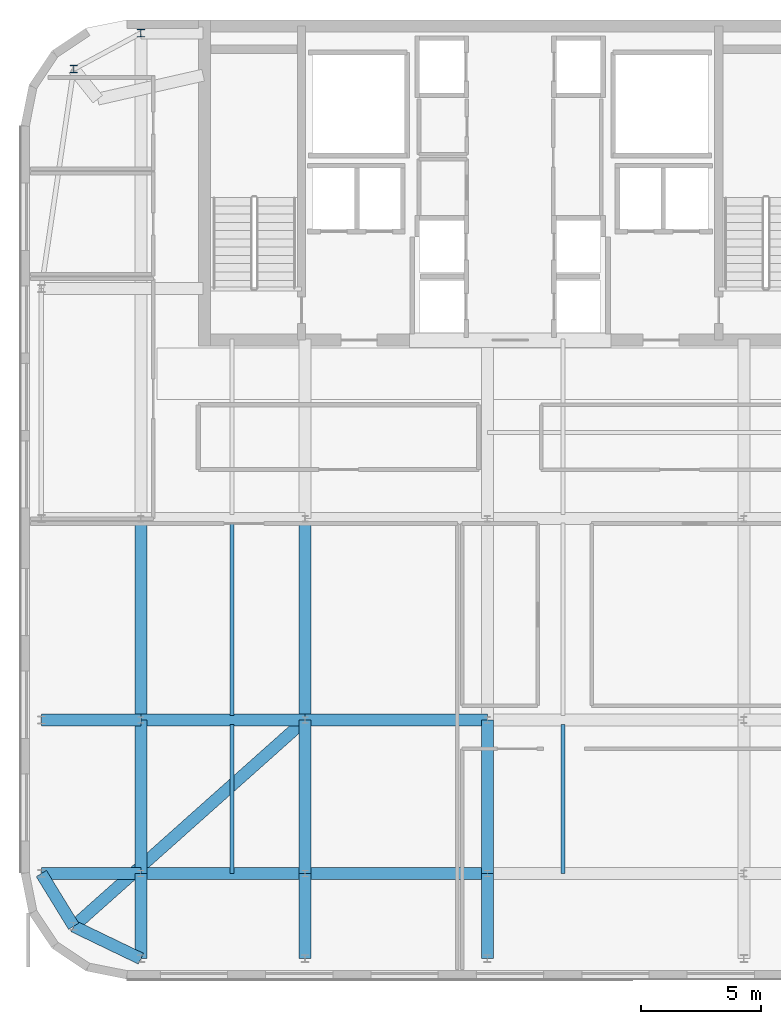
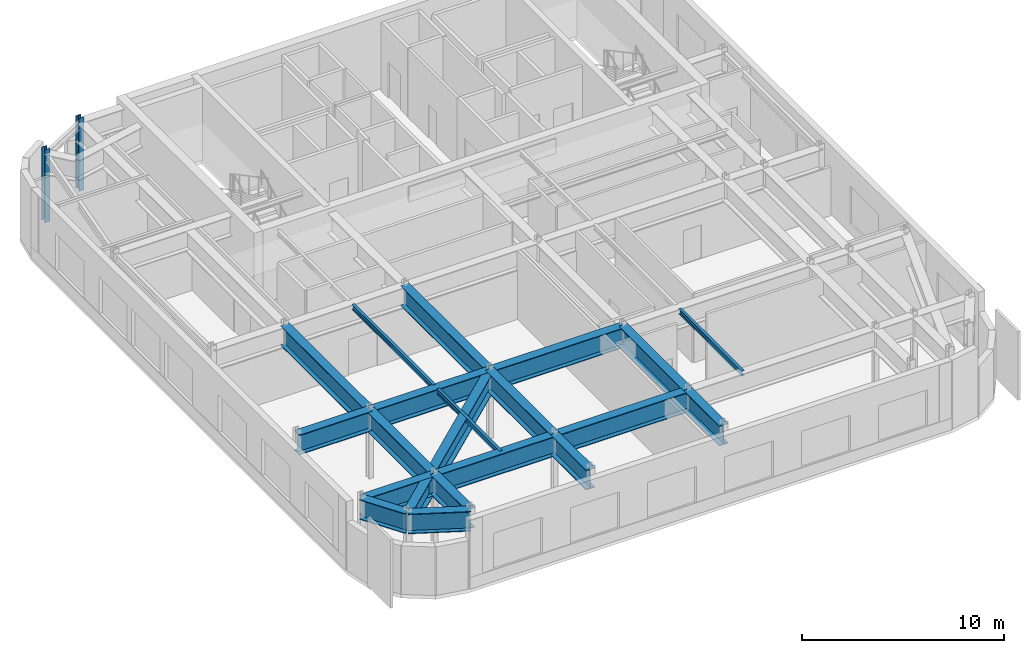
# One storey, part 4 of 13: 20 beams, 2 columns.
"""IFC4 building model written with IfcOpenShell, lengths in metres."""

from ifc_helpers import new_model, si_unit, direction, frame, origin, origin_2d, place, context, subcontext, project, spatial, i_section, extrude, source, transform, mapped, material, material_profile, profile_set, type_object, type_shapes, element, save


model = new_model("IFC4")

# Units and contexts
model_context = context("Model", 3, precision=1e-05, world=origin(), true_north=direction((0.0, 1.0)))
body_context = subcontext(model_context, "Body", "Model", "MODEL_VIEW")
ifc_project = project(units=[si_unit("LENGTHUNIT", "METRE"), si_unit("AREAUNIT", "SQUARE_METRE"), si_unit("VOLUMEUNIT", "CUBIC_METRE"), si_unit("PLANEANGLEUNIT", "RADIAN"), si_unit("MASSUNIT", "GRAM", prefix="KILO")], contexts=[model_context])

# Site, building, storey
site_placement = place(None, origin())
site = spatial("IfcSite", under=ifc_project, at=site_placement, CompositionType="ELEMENT")
building_placement = place(site_placement, origin())
building = spatial("IfcBuilding", under=site, at=building_placement, Name="Tolvann Quenvar Hotel", CompositionType="ELEMENT")
storey_placement = place(building_placement, frame((0.0, 0.0, 286.550048828125)))
storey = spatial("IfcBuildingStorey", under=building, at=storey_placement, Name="L76", CompositionType="ELEMENT", Elevation=286.550048828125)

# Columns
ifc_material = material(Name="Steel Grade 350", Category="steel")
ifc_material_profile_1 = material_profile(ifc_material, i_section(OverallWidth=0.306884765625, OverallDepth=0.31494140625, WebThickness=0.011962890625, FlangeThickness=0.018798828125, FilletRadius=0.0166015625, at=origin_2d()), Name="310UC118")
ifc_profile_set_1 = profile_set([ifc_material_profile_1], Name="Steel Grade 350")
column_type = type_object("IfcColumnType", Name="COL_310UC118", PredefinedType="COLUMN", material=ifc_profile_set_1)
shared_shape_1 = source(origin(), body_context, "Body", "SweptSolid", [
    extrude(i_section(OverallWidth=0.306884765625, OverallDepth=0.31494140625, WebThickness=0.011962890625, FlangeThickness=0.018798828125, FilletRadius=0.0166015625, at=origin_2d()), origin(), (0.0, 0.0, 1.0), 4.39990234375),
])
type_shapes(column_type, [shared_shape_1])
for number, where, z_axis, x_axis, name in (
    (1, (4.800048828125, 43.14990234375, 0.0), (0.0, 0.0, 1.0), (1.0, 0.0, 0.0), "Column BN (L76)"),
    (2, (7.60009765625, 44.64990234375, 0.0), (0.0, 0.0, 1.0), (1.0, 0.0, 0.0), "Column CN (L76)"),
):
    element("IfcColumn", number, at=place(storey_placement, frame(where, z_axis=z_axis, x_axis=x_axis)), inside=storey, type_object=column_type, Name=name, PredefinedType="COLUMN", context=body_context, shape_type="MappedRepresentation", body=[
        mapped(shared_shape_1, transform((0.0, 0.0, 0.0), x_axis=(1.0, 0.0, 0.0), y_axis=(0.0, 1.0, 0.0), z_axis=(0.0, 0.0, 1.0), scale=1.0)),
    ])

# Beams
ifc_material_profile_2 = material_profile(ifc_material, i_section(OverallWidth=0.5, OverallDepth=1.199951171875, WebThickness=0.01611328125, FlangeThickness=0.0400390625, at=origin_2d()), Name="1200WB455")
ifc_profile_set_2 = profile_set([ifc_material_profile_2], Name="Steel Grade 350")
beam_type_1 = type_object("IfcBeamType", Name="BM_TG_1200WB455", PredefinedType="USERDEFINED", material=ifc_profile_set_2)
shared_shape_2 = source(origin(), body_context, "Body", "SweptSolid", [
    extrude(i_section(OverallWidth=0.5, OverallDepth=1.199951171875, WebThickness=0.01611328125, FlangeThickness=0.0400390625, at=origin_2d()), origin(), (0.0, 0.0, 1.0), 3.550048828125),
])
for number, where, z_axis, x_axis, name in (
    (3, (7.60009765625, 6.050048828125, 3.5400390625), (0.0, 1.0, 0.0), (-1.0, 0.0, 0.0), "Setback Transfer Girder L76-C2"),
    (4, (14.449951171875, 6.050048828125, 3.5400390625), (0.0, 1.0, 0.0), (-1.0, 0.0, 0.0), "Setback Transfer Girder L76-D2"),
    (5, (22.050048828125, 6.050048828125, 3.5400390625), (0.0, 1.0, 0.0), (-1.0, 0.0, 0.0), "Setback Transfer Girder L76-E2"),
):
    element("IfcBeam", number, at=place(storey_placement, frame(where, z_axis=z_axis, x_axis=x_axis)), inside=storey, type_object=beam_type_1, Name=name, ObjectType="TRANSFER GIRDER", PredefinedType="USERDEFINED", context=body_context, shape_type="MappedRepresentation", body=[
        mapped(shared_shape_2, transform((0.0, 0.0, 0.0), x_axis=(1.0, 0.0, 0.0), y_axis=(0.0, 1.0, 0.0), z_axis=(0.0, 0.0, 1.0), scale=1.0)),
    ])
shared_shape_3 = source(origin(), body_context, "Body", "SweptSolid", [
    extrude(i_section(OverallWidth=0.5, OverallDepth=1.199951171875, WebThickness=0.01611328125, FlangeThickness=0.0400390625, at=origin_2d()), origin(), (0.0, 0.0, 1.0), 4.150146484375),
])
for number, where, z_axis, x_axis, name in (
    (6, (3.449951171875, 16.0, 3.5400390625), (1.0, 0.0, 0.0), (0.0, 1.0, 0.0), "Setback Transfer Girder L76-B4"),
    (7, (3.449951171875, 9.60009765625, 3.5400390625), (1.0, 0.0, 0.0), (0.0, 1.0, 0.0), "BM-L76-EW-3-B3-C3"),
):
    element("IfcBeam", number, at=place(storey_placement, frame(where, z_axis=z_axis, x_axis=x_axis)), inside=storey, type_object=beam_type_1, Name=name, ObjectType="TRANSFER GIRDER", PredefinedType="USERDEFINED", context=body_context, shape_type="MappedRepresentation", body=[
        mapped(shared_shape_3, transform((0.0, 0.0, 0.0), x_axis=(1.0, 0.0, 0.0), y_axis=(0.0, 1.0, 0.0), z_axis=(0.0, 0.0, 1.0), scale=1.0)),
    ])
shared_shape_4 = source(origin(), body_context, "Body", "SweptSolid", [
    extrude(i_section(OverallWidth=0.5, OverallDepth=1.199951171875, WebThickness=0.01611328125, FlangeThickness=0.0400390625, at=origin_2d()), origin(), (0.0, 0.0, 1.0), 8.39990234375),
])
for number, where, z_axis, x_axis, name in (
    (8, (7.60009765625, 16.0, 3.5400390625), (0.0, 1.0, 0.0), (-1.0, 0.0, 0.0), "BM-L76-NS-C4-C5"),
    (9, (14.449951171875, 16.0, 3.5400390625), (0.0, 1.0, 0.0), (-1.0, 0.0, 0.0), "BM-L76-NS-D4-D5"),
):
    element("IfcBeam", number, at=place(storey_placement, frame(where, z_axis=z_axis, x_axis=x_axis)), inside=storey, type_object=beam_type_1, Name=name, ObjectType="TRANSFER GIRDER", PredefinedType="USERDEFINED", context=body_context, shape_type="MappedRepresentation", body=[
        mapped(shared_shape_4, transform((0.0, 0.0, 0.0), x_axis=(1.0, 0.0, 0.0), y_axis=(0.0, 1.0, 0.0), z_axis=(0.0, 0.0, 1.0), scale=1.0)),
    ])
shared_shape_5 = source(origin(), body_context, "Body", "SweptSolid", [
    extrude(i_section(OverallWidth=0.5, OverallDepth=1.199951171875, WebThickness=0.01611328125, FlangeThickness=0.0400390625, at=origin_2d()), origin(), (0.0, 0.0, 1.0), 6.849853515625),
])
for number, where, z_axis, x_axis, name in (
    (10, (7.60009765625, 9.60009765625, 3.5400390625), (1.0, 0.0, 0.0), (0.0, 1.0, 0.0), "BM-L76-EW-3-C3-D3"),
    (11, (7.60009765625, 16.0, 3.5400390625), (1.0, 0.0, 0.0), (0.0, 1.0, 0.0), "BM-L76-EW-4-C4-D4"),
):
    element("IfcBeam", number, at=place(storey_placement, frame(where, z_axis=z_axis, x_axis=x_axis)), inside=storey, type_object=beam_type_1, Name=name, ObjectType="TRANSFER GIRDER", PredefinedType="USERDEFINED", context=body_context, shape_type="MappedRepresentation", body=[
        mapped(shared_shape_5, transform((0.0, 0.0, 0.0), x_axis=(1.0, 0.0, 0.0), y_axis=(0.0, 1.0, 0.0), z_axis=(0.0, 0.0, 1.0), scale=1.0)),
    ])
shared_shape_6 = source(origin(), body_context, "Body", "SweptSolid", [
    extrude(i_section(OverallWidth=0.5, OverallDepth=1.199951171875, WebThickness=0.01611328125, FlangeThickness=0.0400390625, at=origin_2d()), origin(), (0.0, 0.0, 1.0), 7.60009765625),
])
for number, where, z_axis, x_axis, name in (
    (12, (14.449951171875, 9.60009765625, 3.5400390625), (1.0, 0.0, 0.0), (0.0, 1.0, 0.0), "BM-L76-EW-3-D3-E3"),
    (13, (14.449951171875, 16.0, 3.5400390625), (1.0, 0.0, 0.0), (0.0, 1.0, 0.0), "BM-L76-EW-4-D4-E4"),
):
    element("IfcBeam", number, at=place(storey_placement, frame(where, z_axis=z_axis, x_axis=x_axis)), inside=storey, type_object=beam_type_1, Name=name, ObjectType="TRANSFER GIRDER", PredefinedType="USERDEFINED", context=body_context, shape_type="MappedRepresentation", body=[
        mapped(shared_shape_6, transform((0.0, 0.0, 0.0), x_axis=(1.0, 0.0, 0.0), y_axis=(0.0, 1.0, 0.0), z_axis=(0.0, 0.0, 1.0), scale=1.0)),
    ])
ifc_material_profile_3 = material_profile(ifc_material, i_section(OverallWidth=0.166015625, OverallDepth=0.306884765625, WebThickness=0.006591796875, FlangeThickness=0.01171875, FilletRadius=0.011474609375, at=origin_2d()), Name="310UB46")
ifc_profile_set_3 = profile_set([ifc_material_profile_3], Name="Steel Grade 350")
beam_type_2 = type_object("IfcBeamType", Name="BM_JOIST_310UB46", PredefinedType="JOIST", material=ifc_profile_set_3)
shared_shape_7 = source(origin(), body_context, "Body", "SweptSolid", [
    extrude(i_section(OverallWidth=0.166015625, OverallDepth=0.306884765625, WebThickness=0.006591796875, FlangeThickness=0.01171875, FilletRadius=0.011474609375, at=origin_2d()), origin(), (0.0, 0.0, 1.0), 8.030029296875),
])
beam_1_placement = place(storey_placement, frame((11.39990234375, 16.18505859375, 3.986572265625), z_axis=(0.0, 1.0, 0.0), x_axis=(-1.0, 0.0, 0.0)))
element("IfcBeam", 14, at=beam_1_placement, inside=storey, type_object=beam_type_2, Name="BJ-L76-114-160", PredefinedType="JOIST", context=body_context, shape_type="MappedRepresentation", body=[
    mapped(shared_shape_7, transform((0.0, 0.0, 0.0), x_axis=(1.0, 0.0, 0.0), y_axis=(0.0, 1.0, 0.0), z_axis=(0.0, 0.0, 1.0), scale=1.0)),
])
shared_shape_8 = source(origin(), body_context, "Body", "SweptSolid", [
    extrude(i_section(OverallWidth=0.5, OverallDepth=1.199951171875, WebThickness=0.01611328125, FlangeThickness=0.0400390625, at=origin_2d()), origin(), (0.0, 0.0, 1.0), 3.1083984375),
])
beam_2_placement = place(storey_placement, frame((4.800048828125, 7.39990234375, 3.5400390625), z_axis=(0.900790078459, -0.434254803715, 0.0), x_axis=(0.434254803715, 0.900790078459, 0.0)))
element("IfcBeam", 15, at=beam_2_placement, inside=storey, type_object=beam_type_1, Name="BM-L76-EW-2-B2-C2", ObjectType="TRANSFER GIRDER", PredefinedType="USERDEFINED", context=body_context, shape_type="MappedRepresentation", body=[
    mapped(shared_shape_8, transform((0.0, 0.0, 0.0), x_axis=(1.0, 0.0, 0.0), y_axis=(0.0, 1.0, 0.0), z_axis=(0.0, 0.0, 1.0), scale=1.0)),
])
shared_shape_9 = source(origin(), body_context, "Body", "SweptSolid", [
    extrude(i_section(OverallWidth=0.5, OverallDepth=1.199951171875, WebThickness=0.01611328125, FlangeThickness=0.0400390625, at=origin_2d()), origin(), (0.0, 0.0, 1.0), 2.581298828125),
])
beam_3_placement = place(storey_placement, frame((4.800048828125, 7.39990234375, 3.5400390625), z_axis=(-0.523009973863, 0.852326561384, 0.0), x_axis=(-0.852326561384, -0.523009973863, 0.0)))
element("IfcBeam", 16, at=beam_3_placement, inside=storey, type_object=beam_type_1, Name="BM-L76-NS-B2-B3", ObjectType="TRANSFER GIRDER", PredefinedType="USERDEFINED", context=body_context, shape_type="MappedRepresentation", body=[
    mapped(shared_shape_9, transform((0.0, 0.0, 0.0), x_axis=(1.0, 0.0, 0.0), y_axis=(0.0, 1.0, 0.0), z_axis=(0.0, 0.0, 1.0), scale=1.0)),
])
shared_shape_10 = source(origin(), body_context, "Body", "SweptSolid", [
    extrude(i_section(OverallWidth=0.5, OverallDepth=1.199951171875, WebThickness=0.01611328125, FlangeThickness=0.0400390625, at=origin_2d()), origin(), (0.0, 0.0, 1.0), 6.39990234375),
])
for number, where, z_axis, x_axis, name in (
    (17, (7.60009765625, 9.60009765625, 3.5400390625), (0.0, 1.0, 0.0), (-1.0, 0.0, 0.0), "BM-L76-NS-C3-C4"),
    (18, (14.449951171875, 9.60009765625, 3.5400390625), (0.0, 1.0, 0.0), (-1.0, 0.0, 0.0), "BM-L76-NS-D3-D4"),
    (19, (22.050048828125, 9.60009765625, 3.5400390625), (0.0, 1.0, 0.0), (-1.0, 0.0, 0.0), "BM-L76-NS-E3-E4"),
):
    element("IfcBeam", number, at=place(storey_placement, frame(where, z_axis=z_axis, x_axis=x_axis)), inside=storey, type_object=beam_type_1, Name=name, ObjectType="TRANSFER GIRDER", PredefinedType="USERDEFINED", context=body_context, shape_type="MappedRepresentation", body=[
        mapped(shared_shape_10, transform((0.0, 0.0, 0.0), x_axis=(1.0, 0.0, 0.0), y_axis=(0.0, 1.0, 0.0), z_axis=(0.0, 0.0, 1.0), scale=1.0)),
    ])
shared_shape_11 = source(origin(), body_context, "Body", "SweptSolid", [
    extrude(i_section(OverallWidth=0.166015625, OverallDepth=0.306884765625, WebThickness=0.006591796875, FlangeThickness=0.01171875, FilletRadius=0.011474609375, at=origin_2d()), origin(), (0.0, 0.0, 1.0), 6.21484375),
])
type_shapes(beam_type_2, [shared_shape_7, shared_shape_11])
for number, where, z_axis, x_axis, name in (
    (20, (11.39990234375, 9.60009765625, 3.986572265625), (0.0, 1.0, 0.0), (-1.0, 0.0, 0.0), "BJ-L76-114-96"),
    (21, (25.199951171875, 9.60009765625, 3.986572265625), (0.0, 1.0, 0.0), (-1.0, 0.0, 0.0), "BJ-L76-252-96"),
):
    element("IfcBeam", number, at=place(storey_placement, frame(where, z_axis=z_axis, x_axis=x_axis)), inside=storey, type_object=beam_type_2, Name=name, PredefinedType="JOIST", context=body_context, shape_type="MappedRepresentation", body=[
        mapped(shared_shape_11, transform((0.0, 0.0, 0.0), x_axis=(1.0, 0.0, 0.0), y_axis=(0.0, 1.0, 0.0), z_axis=(0.0, 0.0, 1.0), scale=1.0)),
    ])
shared_shape_12 = source(origin(), body_context, "Body", "SweptSolid", [
    extrude(i_section(OverallWidth=0.5, OverallDepth=1.199951171875, WebThickness=0.01611328125, FlangeThickness=0.0400390625, at=origin_2d()), origin(), (0.0, 0.0, 1.0), 12.926025390625),
])
type_shapes(beam_type_1, [shared_shape_2, shared_shape_3, shared_shape_4, shared_shape_5, shared_shape_6, shared_shape_8, shared_shape_9, shared_shape_10, shared_shape_12])
beam_4_placement = place(storey_placement, frame((4.800048828125, 7.39990234375, 3.5400390625), z_axis=(0.746547941714, 0.665331624622, 0.0), x_axis=(-0.665331624622, 0.746547941714, 0.0)))
element("IfcBeam", 22, at=beam_4_placement, inside=storey, type_object=beam_type_1, Name="Setback Transfer Girder L76-B2", ObjectType="TRANSFER GIRDER", PredefinedType="USERDEFINED", context=body_context, shape_type="MappedRepresentation", body=[
    mapped(shared_shape_12, transform((0.0, 0.0, 0.0), x_axis=(1.0, 0.0, 0.0), y_axis=(0.0, 1.0, 0.0), z_axis=(0.0, 0.0, 1.0), scale=1.0)),
])

save(model, "model.ifc")
